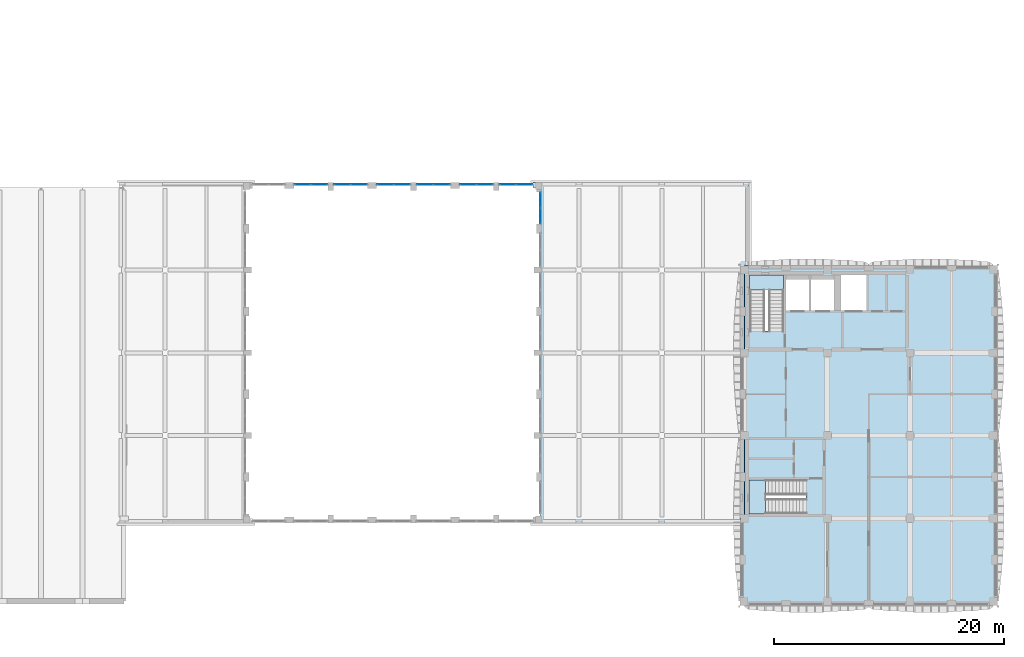
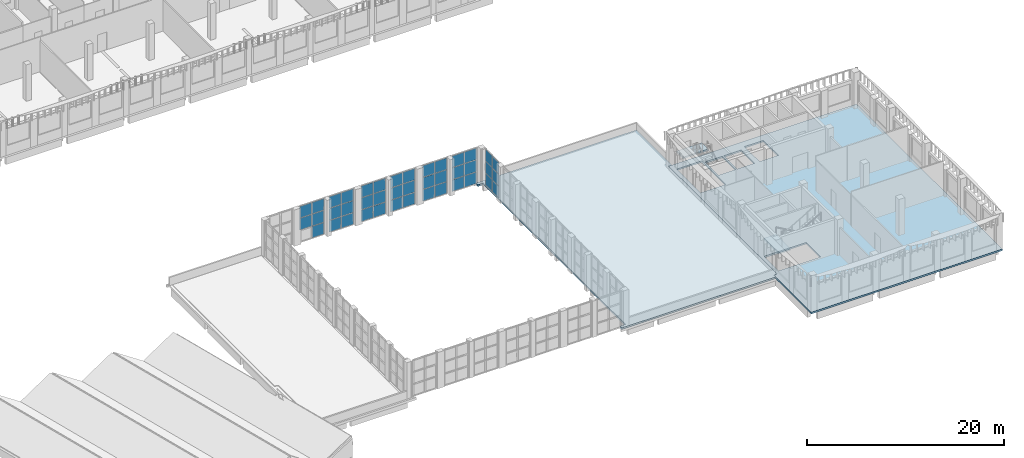
# One storey, part 12 of 44: 41 plates, 4 slabs, 9 elements without a shape of their own.
"""IFC4 building model written with IfcOpenShell, lengths in metres."""

from ifc_helpers import new_model, si_unit, direction, frame, origin, origin_2d, place, context, subcontext, project, spatial, polyline, rectangle, outline, extrude, material, layer, layer_set, type_object, element, aggregate, save


model = new_model("IFC4")

# Units and contexts
model_context = context("Model", 3, precision=1e-05, world=origin(), true_north=direction((0.0, 1.0)))
body_context = subcontext(model_context, "Body", "Model", "MODEL_VIEW")
ifc_project = project(units=[si_unit("LENGTHUNIT", "METRE"), si_unit("AREAUNIT", "SQUARE_METRE"), si_unit("VOLUMEUNIT", "CUBIC_METRE"), si_unit("PLANEANGLEUNIT", "RADIAN"), si_unit("MASSUNIT", "GRAM", prefix="KILO")], contexts=[model_context])

# Site, building, storey
site_placement = place(None, origin())
site = spatial("IfcSite", under=ifc_project, at=site_placement, CompositionType="ELEMENT")
building_placement = place(site_placement, origin())
building = spatial("IfcBuilding", under=site, at=building_placement, Name="Ussher Court Research Institute", CompositionType="ELEMENT")
storey_placement = place(building_placement, frame((0.0, 0.0, 18.89990234375)))
storey = spatial("IfcBuildingStorey", under=building, at=storey_placement, Name="L04", CompositionType="ELEMENT", Elevation=18.89990234375)

# Slab
ifc_material_1 = material(Name="Concrete C35/45", Category="concrete")
ifc_layer_1 = layer(ifc_material_1, 0.199951171875)
ifc_layer_set_1 = layer_set([ifc_layer_1], Name="Concrete C35/45")
slab_type_1 = type_object("IfcSlabType", Name="Floor slab 200", PredefinedType="FLOOR", material=ifc_layer_set_1)
slab_1_placement = place(storey_placement, frame((0.0, 0.0, -0.199951171875)))
element("IfcSlab", 1, at=slab_1_placement, inside=storey, type_object=slab_type_1, Name="FS200 V4 L04-01", PredefinedType="FLOOR", context=body_context, shape_type="SweptSolid", body=[
    extrude(outline(polyline([(81.800048828125, 11.199951171875), (81.800048828125, 3.60009765625), (104.199951171875, 3.60009765625), (104.199951171875, 33.199951171875), (82.199951171875, 33.199951171875), (82.199951171875, 11.199951171875), (81.800048828125, 11.199951171875)]), holes=[polyline([(87.550048828125, 14.550048828125), (87.550048828125, 11.60009765625), (82.60009765625, 11.60009765625), (82.60009765625, 14.550048828125), (87.550048828125, 14.550048828125)]), polyline([(82.64990234375, 27.5), (82.64990234375, 32.35009765625), (85.60009765625, 32.35009765625), (85.60009765625, 27.5), (82.64990234375, 27.5)]), polyline([(87.800048828125, 29.300048828125), (85.800048828125, 29.300048828125), (85.800048828125, 32.0), (87.800048828125, 32.0), (87.800048828125, 29.300048828125)]), polyline([(90.0, 32.0), (90.0, 29.300048828125), (88.0, 29.300048828125), (88.0, 32.0), (90.0, 32.0)]), polyline([(92.800048828125, 29.300048828125), (90.60009765625, 29.300048828125), (90.60009765625, 32.35009765625), (92.800048828125, 32.35009765625), (92.800048828125, 29.300048828125)])]), origin(), (0.0, 0.0, 1.0), 0.199951171875),
])

# Curtain wall, plates
ifc_material_2 = material(Name="Bronze anodised aluminium with low-e glass", Category="aluminium")
ifc_layer_2 = layer(ifc_material_2, 0.159912109375)
ifc_layer_set_2 = layer_set([ifc_layer_2], Name="Bronze anodised aluminium with low-e glass")
curtain_wall_type = type_object("IfcCurtainWallType", Name="Curtain wall atrium clerestory tall glazing", PredefinedType="NOTDEFINED", material=ifc_layer_set_2)
curtain_wall_1_placement = place(storey_placement, origin())
curtain_wall_1 = element("IfcCurtainWall", 2, at=curtain_wall_1_placement, inside=storey, type_object=curtain_wall_type, Name="Curtain wall CW3 L04", PredefinedType="NOTDEFINED")
ifc_material_3 = material(Name="Double glazed unit laminated")
ifc_layer_3 = layer(ifc_material_3, 0.035888671875)
ifc_layer_set_3 = layer_set([ifc_layer_3], Name="Double glazed unit laminated")
plate_type = type_object("IfcPlateType", Name="Glazing panel 36 mm", PredefinedType="CURTAIN_PANEL", material=ifc_layer_set_3)
plate_1_placement = place(storey_placement, frame((64.449951171875, 38.885009765625, 0.06005859375), z_axis=(0.0, 0.0, 1.0), x_axis=(0.0, -1.0, 0.0)))
plate_1 = element("IfcPlate", 3, at=plate_1_placement, type_object=plate_type, Name="CW3 panel 1.1", PredefinedType="CURTAIN_PANEL", context=body_context, shape_type="SweptSolid", body=[
    extrude(rectangle(XDim=1.31005859375, YDim=0.035888671875, at=origin_2d()), origin(), (0.0, 0.0, 1.0), 1.409912109375),
])
plate_2_placement = place(storey_placement, frame((64.449951171875, 38.885009765625, 1.530029296875), z_axis=(0.0, 0.0, 1.0), x_axis=(0.0, -1.0, 0.0)))
plate_2 = element("IfcPlate", 4, at=plate_2_placement, type_object=plate_type, Name="CW3 panel 1.2", PredefinedType="CURTAIN_PANEL", context=body_context, shape_type="SweptSolid", body=[
    extrude(rectangle(XDim=1.31005859375, YDim=0.035888671875, at=origin_2d()), origin(), (0.0, 0.0, 1.0), 1.43994140625),
])
plate_3_placement = place(storey_placement, frame((64.449951171875, 38.885009765625, 3.0302734375), z_axis=(0.0, 0.0, 1.0), x_axis=(0.0, -1.0, 0.0)))
plate_3 = element("IfcPlate", 5, at=plate_3_placement, type_object=plate_type, Name="CW3 panel 1.3", PredefinedType="CURTAIN_PANEL", context=body_context, shape_type="SweptSolid", body=[
    extrude(rectangle(XDim=1.31005859375, YDim=0.035888671875, at=origin_2d()), origin(), (0.0, 0.0, 1.0), 1.409912109375),
])
plate_4_placement = place(storey_placement, frame((64.449951171875, 37.514892578125, 0.06005859375), z_axis=(0.0, 0.0, 1.0), x_axis=(0.0, -1.0, 0.0)))
plate_4 = element("IfcPlate", 6, at=plate_4_placement, type_object=plate_type, Name="CW3 panel 2.1", PredefinedType="CURTAIN_PANEL", context=body_context, shape_type="SweptSolid", body=[
    extrude(rectangle(XDim=1.31005859375, YDim=0.035888671875, at=origin_2d()), origin(), (0.0, 0.0, 1.0), 1.409912109375),
])
plate_5_placement = place(storey_placement, frame((64.449951171875, 37.514892578125, 1.530029296875), z_axis=(0.0, 0.0, 1.0), x_axis=(0.0, -1.0, 0.0)))
plate_5 = element("IfcPlate", 7, at=plate_5_placement, type_object=plate_type, Name="CW3 panel 2.2", PredefinedType="CURTAIN_PANEL", context=body_context, shape_type="SweptSolid", body=[
    extrude(rectangle(XDim=1.31005859375, YDim=0.035888671875, at=origin_2d()), origin(), (0.0, 0.0, 1.0), 1.43994140625),
])
plate_6_placement = place(storey_placement, frame((64.449951171875, 37.514892578125, 3.0302734375), z_axis=(0.0, 0.0, 1.0), x_axis=(0.0, -1.0, 0.0)))
plate_6 = element("IfcPlate", 8, at=plate_6_placement, type_object=plate_type, Name="CW3 panel 2.3", PredefinedType="CURTAIN_PANEL", context=body_context, shape_type="SweptSolid", body=[
    extrude(rectangle(XDim=1.31005859375, YDim=0.035888671875, at=origin_2d()), origin(), (0.0, 0.0, 1.0), 1.409912109375),
])
aggregate(curtain_wall_1, [plate_1, plate_2, plate_3, plate_4, plate_5, plate_6])

curtain_wall_2_placement = place(storey_placement, origin())
curtain_wall_2 = element("IfcCurtainWall", 9, at=curtain_wall_2_placement, inside=storey, type_object=curtain_wall_type, Name="Curtain wall CW3 L04", PredefinedType="NOTDEFINED")
plate_7_placement = place(storey_placement, frame((43.75244140625, 40.25, 1.530029296875), z_axis=(0.0, 0.0, 1.0), x_axis=(1.0, 0.0, 0.0)))
plate_7 = element("IfcPlate", 10, at=plate_7_placement, type_object=plate_type, Name="CW3 panel 1.2", PredefinedType="CURTAIN_PANEL", context=body_context, shape_type="SweptSolid", body=[
    extrude(rectangle(XDim=1.385009765625, YDim=0.035888671875, at=origin_2d()), origin(), (0.0, 0.0, 1.0), 1.43994140625),
])
plate_8_placement = place(storey_placement, frame((43.75244140625, 40.25, 3.0302734375), z_axis=(0.0, 0.0, 1.0), x_axis=(1.0, 0.0, 0.0)))
plate_8 = element("IfcPlate", 11, at=plate_8_placement, type_object=plate_type, Name="CW3 panel 1.3", PredefinedType="CURTAIN_PANEL", context=body_context, shape_type="SweptSolid", body=[
    extrude(rectangle(XDim=1.385009765625, YDim=0.035888671875, at=origin_2d()), origin(), (0.0, 0.0, 1.0), 1.409912109375),
])
plate_9_placement = place(storey_placement, frame((45.197509765625, 40.25, 0.06005859375), z_axis=(0.0, 0.0, 1.0), x_axis=(1.0, 0.0, 0.0)))
plate_9 = element("IfcPlate", 12, at=plate_9_placement, type_object=plate_type, Name="CW3 panel 2.1", PredefinedType="CURTAIN_PANEL", context=body_context, shape_type="SweptSolid", body=[
    extrude(rectangle(XDim=1.385009765625, YDim=0.035888671875, at=origin_2d()), origin(), (0.0, 0.0, 1.0), 1.409912109375),
])
plate_10_placement = place(storey_placement, frame((45.197509765625, 40.25, 1.530029296875), z_axis=(0.0, 0.0, 1.0), x_axis=(1.0, 0.0, 0.0)))
plate_10 = element("IfcPlate", 13, at=plate_10_placement, type_object=plate_type, Name="CW3 panel 2.2", PredefinedType="CURTAIN_PANEL", context=body_context, shape_type="SweptSolid", body=[
    extrude(rectangle(XDim=1.385009765625, YDim=0.035888671875, at=origin_2d()), origin(), (0.0, 0.0, 1.0), 1.43994140625),
])
plate_11_placement = place(storey_placement, frame((45.197509765625, 40.25, 3.0302734375), z_axis=(0.0, 0.0, 1.0), x_axis=(1.0, 0.0, 0.0)))
plate_11 = element("IfcPlate", 14, at=plate_11_placement, type_object=plate_type, Name="CW3 panel 2.3", PredefinedType="CURTAIN_PANEL", context=body_context, shape_type="SweptSolid", body=[
    extrude(rectangle(XDim=1.385009765625, YDim=0.035888671875, at=origin_2d()), origin(), (0.0, 0.0, 1.0), 1.409912109375),
])
aggregate(curtain_wall_2, [plate_7, plate_8, plate_9, plate_10, plate_11])

curtain_wall_3_placement = place(storey_placement, origin())
curtain_wall_3 = element("IfcCurtainWall", 15, at=curtain_wall_3_placement, inside=storey, type_object=curtain_wall_type, Name="Curtain wall CW3 L04", PredefinedType="NOTDEFINED")
plate_12_placement = place(storey_placement, frame((47.202392578125, 40.25, 0.06005859375), z_axis=(0.0, 0.0, 1.0), x_axis=(1.0, 0.0, 0.0)))
plate_12 = element("IfcPlate", 16, at=plate_12_placement, type_object=plate_type, Name="CW3 panel 1.1", PredefinedType="CURTAIN_PANEL", context=body_context, shape_type="SweptSolid", body=[
    extrude(rectangle(XDim=1.385009765625, YDim=0.035888671875, at=origin_2d()), origin(), (0.0, 0.0, 1.0), 1.409912109375),
])
plate_13_placement = place(storey_placement, frame((47.202392578125, 40.25, 1.530029296875), z_axis=(0.0, 0.0, 1.0), x_axis=(1.0, 0.0, 0.0)))
plate_13 = element("IfcPlate", 17, at=plate_13_placement, type_object=plate_type, Name="CW3 panel 1.2", PredefinedType="CURTAIN_PANEL", context=body_context, shape_type="SweptSolid", body=[
    extrude(rectangle(XDim=1.385009765625, YDim=0.035888671875, at=origin_2d()), origin(), (0.0, 0.0, 1.0), 1.43994140625),
])
plate_14_placement = place(storey_placement, frame((47.202392578125, 40.25, 3.0302734375), z_axis=(0.0, 0.0, 1.0), x_axis=(1.0, 0.0, 0.0)))
plate_14 = element("IfcPlate", 18, at=plate_14_placement, type_object=plate_type, Name="CW3 panel 1.3", PredefinedType="CURTAIN_PANEL", context=body_context, shape_type="SweptSolid", body=[
    extrude(rectangle(XDim=1.385009765625, YDim=0.035888671875, at=origin_2d()), origin(), (0.0, 0.0, 1.0), 1.409912109375),
])
plate_15_placement = place(storey_placement, frame((48.6474609375, 40.25, 0.06005859375), z_axis=(0.0, 0.0, 1.0), x_axis=(1.0, 0.0, 0.0)))
plate_15 = element("IfcPlate", 19, at=plate_15_placement, type_object=plate_type, Name="CW3 panel 2.1", PredefinedType="CURTAIN_PANEL", context=body_context, shape_type="SweptSolid", body=[
    extrude(rectangle(XDim=1.385009765625, YDim=0.035888671875, at=origin_2d()), origin(), (0.0, 0.0, 1.0), 1.409912109375),
])
plate_16_placement = place(storey_placement, frame((48.6474609375, 40.25, 1.530029296875), z_axis=(0.0, 0.0, 1.0), x_axis=(1.0, 0.0, 0.0)))
plate_16 = element("IfcPlate", 20, at=plate_16_placement, type_object=plate_type, Name="CW3 panel 2.2", PredefinedType="CURTAIN_PANEL", context=body_context, shape_type="SweptSolid", body=[
    extrude(rectangle(XDim=1.385009765625, YDim=0.035888671875, at=origin_2d()), origin(), (0.0, 0.0, 1.0), 1.43994140625),
])
plate_17_placement = place(storey_placement, frame((48.6474609375, 40.25, 3.0302734375), z_axis=(0.0, 0.0, 1.0), x_axis=(1.0, 0.0, 0.0)))
plate_17 = element("IfcPlate", 21, at=plate_17_placement, type_object=plate_type, Name="CW3 panel 2.3", PredefinedType="CURTAIN_PANEL", context=body_context, shape_type="SweptSolid", body=[
    extrude(rectangle(XDim=1.385009765625, YDim=0.035888671875, at=origin_2d()), origin(), (0.0, 0.0, 1.0), 1.409912109375),
])
aggregate(curtain_wall_3, [plate_12, plate_13, plate_14, plate_15, plate_16, plate_17])

curtain_wall_4_placement = place(storey_placement, origin())
curtain_wall_4 = element("IfcCurtainWall", 22, at=curtain_wall_4_placement, inside=storey, type_object=curtain_wall_type, Name="Curtain wall CW3 L04", PredefinedType="NOTDEFINED")
plate_18_placement = place(storey_placement, frame((50.952392578125, 40.25, 0.06005859375), z_axis=(0.0, 0.0, 1.0), x_axis=(1.0, 0.0, 0.0)))
plate_18 = element("IfcPlate", 23, at=plate_18_placement, type_object=plate_type, Name="CW3 panel 1.1", PredefinedType="CURTAIN_PANEL", context=body_context, shape_type="SweptSolid", body=[
    extrude(rectangle(XDim=1.385009765625, YDim=0.035888671875, at=origin_2d()), origin(), (0.0, 0.0, 1.0), 1.409912109375),
])
plate_19_placement = place(storey_placement, frame((50.952392578125, 40.25, 1.530029296875), z_axis=(0.0, 0.0, 1.0), x_axis=(1.0, 0.0, 0.0)))
plate_19 = element("IfcPlate", 24, at=plate_19_placement, type_object=plate_type, Name="CW3 panel 1.2", PredefinedType="CURTAIN_PANEL", context=body_context, shape_type="SweptSolid", body=[
    extrude(rectangle(XDim=1.385009765625, YDim=0.035888671875, at=origin_2d()), origin(), (0.0, 0.0, 1.0), 1.43994140625),
])
plate_20_placement = place(storey_placement, frame((50.952392578125, 40.25, 3.0302734375), z_axis=(0.0, 0.0, 1.0), x_axis=(1.0, 0.0, 0.0)))
plate_20 = element("IfcPlate", 25, at=plate_20_placement, type_object=plate_type, Name="CW3 panel 1.3", PredefinedType="CURTAIN_PANEL", context=body_context, shape_type="SweptSolid", body=[
    extrude(rectangle(XDim=1.385009765625, YDim=0.035888671875, at=origin_2d()), origin(), (0.0, 0.0, 1.0), 1.409912109375),
])
plate_21_placement = place(storey_placement, frame((52.3974609375, 40.25, 0.06005859375), z_axis=(0.0, 0.0, 1.0), x_axis=(1.0, 0.0, 0.0)))
plate_21 = element("IfcPlate", 26, at=plate_21_placement, type_object=plate_type, Name="CW3 panel 2.1", PredefinedType="CURTAIN_PANEL", context=body_context, shape_type="SweptSolid", body=[
    extrude(rectangle(XDim=1.385009765625, YDim=0.035888671875, at=origin_2d()), origin(), (0.0, 0.0, 1.0), 1.409912109375),
])
plate_22_placement = place(storey_placement, frame((52.3974609375, 40.25, 1.530029296875), z_axis=(0.0, 0.0, 1.0), x_axis=(1.0, 0.0, 0.0)))
plate_22 = element("IfcPlate", 27, at=plate_22_placement, type_object=plate_type, Name="CW3 panel 2.2", PredefinedType="CURTAIN_PANEL", context=body_context, shape_type="SweptSolid", body=[
    extrude(rectangle(XDim=1.385009765625, YDim=0.035888671875, at=origin_2d()), origin(), (0.0, 0.0, 1.0), 1.43994140625),
])
plate_23_placement = place(storey_placement, frame((52.3974609375, 40.25, 3.0302734375), z_axis=(0.0, 0.0, 1.0), x_axis=(1.0, 0.0, 0.0)))
plate_23 = element("IfcPlate", 28, at=plate_23_placement, type_object=plate_type, Name="CW3 panel 2.3", PredefinedType="CURTAIN_PANEL", context=body_context, shape_type="SweptSolid", body=[
    extrude(rectangle(XDim=1.385009765625, YDim=0.035888671875, at=origin_2d()), origin(), (0.0, 0.0, 1.0), 1.409912109375),
])
aggregate(curtain_wall_4, [plate_18, plate_19, plate_20, plate_21, plate_22, plate_23])

curtain_wall_5_placement = place(storey_placement, origin())
curtain_wall_5 = element("IfcCurtainWall", 29, at=curtain_wall_5_placement, inside=storey, type_object=curtain_wall_type, Name="Curtain wall CW3 L04", PredefinedType="NOTDEFINED")
plate_24_placement = place(storey_placement, frame((54.402587890625, 40.25, 0.06005859375), z_axis=(0.0, 0.0, 1.0), x_axis=(1.0, 0.0, 0.0)))
plate_24 = element("IfcPlate", 30, at=plate_24_placement, type_object=plate_type, Name="CW3 panel 1.1", PredefinedType="CURTAIN_PANEL", context=body_context, shape_type="SweptSolid", body=[
    extrude(rectangle(XDim=1.385009765625, YDim=0.035888671875, at=origin_2d()), origin(), (0.0, 0.0, 1.0), 1.409912109375),
])
plate_25_placement = place(storey_placement, frame((54.402587890625, 40.25, 1.530029296875), z_axis=(0.0, 0.0, 1.0), x_axis=(1.0, 0.0, 0.0)))
plate_25 = element("IfcPlate", 31, at=plate_25_placement, type_object=plate_type, Name="CW3 panel 1.2", PredefinedType="CURTAIN_PANEL", context=body_context, shape_type="SweptSolid", body=[
    extrude(rectangle(XDim=1.385009765625, YDim=0.035888671875, at=origin_2d()), origin(), (0.0, 0.0, 1.0), 1.43994140625),
])
plate_26_placement = place(storey_placement, frame((54.402587890625, 40.25, 3.0302734375), z_axis=(0.0, 0.0, 1.0), x_axis=(1.0, 0.0, 0.0)))
plate_26 = element("IfcPlate", 32, at=plate_26_placement, type_object=plate_type, Name="CW3 panel 1.3", PredefinedType="CURTAIN_PANEL", context=body_context, shape_type="SweptSolid", body=[
    extrude(rectangle(XDim=1.385009765625, YDim=0.035888671875, at=origin_2d()), origin(), (0.0, 0.0, 1.0), 1.409912109375),
])
plate_27_placement = place(storey_placement, frame((55.847412109375, 40.25, 0.06005859375), z_axis=(0.0, 0.0, 1.0), x_axis=(1.0, 0.0, 0.0)))
plate_27 = element("IfcPlate", 33, at=plate_27_placement, type_object=plate_type, Name="CW3 panel 2.1", PredefinedType="CURTAIN_PANEL", context=body_context, shape_type="SweptSolid", body=[
    extrude(rectangle(XDim=1.385009765625, YDim=0.035888671875, at=origin_2d()), origin(), (0.0, 0.0, 1.0), 1.409912109375),
])
plate_28_placement = place(storey_placement, frame((55.847412109375, 40.25, 1.530029296875), z_axis=(0.0, 0.0, 1.0), x_axis=(1.0, 0.0, 0.0)))
plate_28 = element("IfcPlate", 34, at=plate_28_placement, type_object=plate_type, Name="CW3 panel 2.2", PredefinedType="CURTAIN_PANEL", context=body_context, shape_type="SweptSolid", body=[
    extrude(rectangle(XDim=1.385009765625, YDim=0.035888671875, at=origin_2d()), origin(), (0.0, 0.0, 1.0), 1.43994140625),
])
plate_29_placement = place(storey_placement, frame((55.847412109375, 40.25, 3.0302734375), z_axis=(0.0, 0.0, 1.0), x_axis=(1.0, 0.0, 0.0)))
plate_29 = element("IfcPlate", 35, at=plate_29_placement, type_object=plate_type, Name="CW3 panel 2.3", PredefinedType="CURTAIN_PANEL", context=body_context, shape_type="SweptSolid", body=[
    extrude(rectangle(XDim=1.385009765625, YDim=0.035888671875, at=origin_2d()), origin(), (0.0, 0.0, 1.0), 1.409912109375),
])
aggregate(curtain_wall_5, [plate_24, plate_25, plate_26, plate_27, plate_28, plate_29])

curtain_wall_6_placement = place(storey_placement, origin())
curtain_wall_6 = element("IfcCurtainWall", 36, at=curtain_wall_6_placement, inside=storey, type_object=curtain_wall_type, Name="Curtain wall CW3 L04", PredefinedType="NOTDEFINED")
plate_30_placement = place(storey_placement, frame((58.152587890625, 40.25, 0.06005859375), z_axis=(0.0, 0.0, 1.0), x_axis=(1.0, 0.0, 0.0)))
plate_30 = element("IfcPlate", 37, at=plate_30_placement, type_object=plate_type, Name="CW3 panel 1.1", PredefinedType="CURTAIN_PANEL", context=body_context, shape_type="SweptSolid", body=[
    extrude(rectangle(XDim=1.385009765625, YDim=0.035888671875, at=origin_2d()), origin(), (0.0, 0.0, 1.0), 1.409912109375),
])
plate_31_placement = place(storey_placement, frame((58.152587890625, 40.25, 1.530029296875), z_axis=(0.0, 0.0, 1.0), x_axis=(1.0, 0.0, 0.0)))
plate_31 = element("IfcPlate", 38, at=plate_31_placement, type_object=plate_type, Name="CW3 panel 1.2", PredefinedType="CURTAIN_PANEL", context=body_context, shape_type="SweptSolid", body=[
    extrude(rectangle(XDim=1.385009765625, YDim=0.035888671875, at=origin_2d()), origin(), (0.0, 0.0, 1.0), 1.43994140625),
])
plate_32_placement = place(storey_placement, frame((58.152587890625, 40.25, 3.0302734375), z_axis=(0.0, 0.0, 1.0), x_axis=(1.0, 0.0, 0.0)))
plate_32 = element("IfcPlate", 39, at=plate_32_placement, type_object=plate_type, Name="CW3 panel 1.3", PredefinedType="CURTAIN_PANEL", context=body_context, shape_type="SweptSolid", body=[
    extrude(rectangle(XDim=1.385009765625, YDim=0.035888671875, at=origin_2d()), origin(), (0.0, 0.0, 1.0), 1.409912109375),
])
plate_33_placement = place(storey_placement, frame((59.597412109375, 40.25, 0.06005859375), z_axis=(0.0, 0.0, 1.0), x_axis=(1.0, 0.0, 0.0)))
plate_33 = element("IfcPlate", 40, at=plate_33_placement, type_object=plate_type, Name="CW3 panel 2.1", PredefinedType="CURTAIN_PANEL", context=body_context, shape_type="SweptSolid", body=[
    extrude(rectangle(XDim=1.385009765625, YDim=0.035888671875, at=origin_2d()), origin(), (0.0, 0.0, 1.0), 1.409912109375),
])
plate_34_placement = place(storey_placement, frame((59.597412109375, 40.25, 1.530029296875), z_axis=(0.0, 0.0, 1.0), x_axis=(1.0, 0.0, 0.0)))
plate_34 = element("IfcPlate", 41, at=plate_34_placement, type_object=plate_type, Name="CW3 panel 2.2", PredefinedType="CURTAIN_PANEL", context=body_context, shape_type="SweptSolid", body=[
    extrude(rectangle(XDim=1.385009765625, YDim=0.035888671875, at=origin_2d()), origin(), (0.0, 0.0, 1.0), 1.43994140625),
])
plate_35_placement = place(storey_placement, frame((59.597412109375, 40.25, 3.0302734375), z_axis=(0.0, 0.0, 1.0), x_axis=(1.0, 0.0, 0.0)))
plate_35 = element("IfcPlate", 42, at=plate_35_placement, type_object=plate_type, Name="CW3 panel 2.3", PredefinedType="CURTAIN_PANEL", context=body_context, shape_type="SweptSolid", body=[
    extrude(rectangle(XDim=1.385009765625, YDim=0.035888671875, at=origin_2d()), origin(), (0.0, 0.0, 1.0), 1.409912109375),
])
aggregate(curtain_wall_6, [plate_30, plate_31, plate_32, plate_33, plate_34, plate_35])

curtain_wall_7_placement = place(storey_placement, origin())
curtain_wall_7 = element("IfcCurtainWall", 43, at=curtain_wall_7_placement, inside=storey, type_object=curtain_wall_type, Name="Curtain wall CW3 L04", PredefinedType="NOTDEFINED")
plate_36_placement = place(storey_placement, frame((61.6025390625, 40.25, 0.06005859375), z_axis=(0.0, 0.0, 1.0), x_axis=(1.0, 0.0, 0.0)))
plate_36 = element("IfcPlate", 44, at=plate_36_placement, type_object=plate_type, Name="CW3 panel 1.1", PredefinedType="CURTAIN_PANEL", context=body_context, shape_type="SweptSolid", body=[
    extrude(rectangle(XDim=1.385009765625, YDim=0.035888671875, at=origin_2d()), origin(), (0.0, 0.0, 1.0), 1.409912109375),
])
plate_37_placement = place(storey_placement, frame((61.6025390625, 40.25, 1.530029296875), z_axis=(0.0, 0.0, 1.0), x_axis=(1.0, 0.0, 0.0)))
plate_37 = element("IfcPlate", 45, at=plate_37_placement, type_object=plate_type, Name="CW3 panel 1.2", PredefinedType="CURTAIN_PANEL", context=body_context, shape_type="SweptSolid", body=[
    extrude(rectangle(XDim=1.385009765625, YDim=0.035888671875, at=origin_2d()), origin(), (0.0, 0.0, 1.0), 1.43994140625),
])
plate_38_placement = place(storey_placement, frame((61.6025390625, 40.25, 3.0302734375), z_axis=(0.0, 0.0, 1.0), x_axis=(1.0, 0.0, 0.0)))
plate_38 = element("IfcPlate", 46, at=plate_38_placement, type_object=plate_type, Name="CW3 panel 1.3", PredefinedType="CURTAIN_PANEL", context=body_context, shape_type="SweptSolid", body=[
    extrude(rectangle(XDim=1.385009765625, YDim=0.035888671875, at=origin_2d()), origin(), (0.0, 0.0, 1.0), 1.409912109375),
])
plate_39_placement = place(storey_placement, frame((63.047607421875, 40.25, 0.06005859375), z_axis=(0.0, 0.0, 1.0), x_axis=(1.0, 0.0, 0.0)))
plate_39 = element("IfcPlate", 47, at=plate_39_placement, type_object=plate_type, Name="CW3 panel 2.1", PredefinedType="CURTAIN_PANEL", context=body_context, shape_type="SweptSolid", body=[
    extrude(rectangle(XDim=1.385009765625, YDim=0.035888671875, at=origin_2d()), origin(), (0.0, 0.0, 1.0), 1.409912109375),
])
plate_40_placement = place(storey_placement, frame((63.047607421875, 40.25, 1.530029296875), z_axis=(0.0, 0.0, 1.0), x_axis=(1.0, 0.0, 0.0)))
plate_40 = element("IfcPlate", 48, at=plate_40_placement, type_object=plate_type, Name="CW3 panel 2.2", PredefinedType="CURTAIN_PANEL", context=body_context, shape_type="SweptSolid", body=[
    extrude(rectangle(XDim=1.385009765625, YDim=0.035888671875, at=origin_2d()), origin(), (0.0, 0.0, 1.0), 1.43994140625),
])
plate_41_placement = place(storey_placement, frame((63.047607421875, 40.25, 3.0302734375), z_axis=(0.0, 0.0, 1.0), x_axis=(1.0, 0.0, 0.0)))
plate_41 = element("IfcPlate", 49, at=plate_41_placement, type_object=plate_type, Name="CW3 panel 2.3", PredefinedType="CURTAIN_PANEL", context=body_context, shape_type="SweptSolid", body=[
    extrude(rectangle(XDim=1.385009765625, YDim=0.035888671875, at=origin_2d()), origin(), (0.0, 0.0, 1.0), 1.409912109375),
])
aggregate(curtain_wall_7, [plate_36, plate_37, plate_38, plate_39, plate_40, plate_41])

# Slab
ifc_material_4 = material(Name="Concrete C35/45", Category="concrete")
ifc_layer_4 = layer(ifc_material_4, 0.199951171875)
ifc_layer_set_4 = layer_set([ifc_layer_4], Name="Concrete C35/45")
slab_type_2 = type_object("IfcSlabType", Name="Roof slab 200", PredefinedType="ROOF", material=ifc_layer_set_4)
slab_2_placement = place(storey_placement, frame((0.0, 0.0, -0.199951171875)))
element("IfcSlab", 50, at=slab_2_placement, inside=storey, type_object=slab_type_2, Name="RS200 V7 L04-01", PredefinedType="ROOF", context=body_context, shape_type="SweptSolid", body=[
    extrude(outline(polyline([(64.425048828125, 40.0), (64.425048828125, 11.199951171875), (63.800048828125, 11.199951171875), (63.800048828125, 10.800048828125), (81.800048828125, 10.800048828125), (81.800048828125, 11.199951171875), (82.199951171875, 11.199951171875), (82.199951171875, 33.199951171875), (82.60009765625, 33.199951171875), (82.60009765625, 40.39990234375), (63.800048828125, 40.39990234375), (63.800048828125, 40.0), (64.425048828125, 40.0)])), origin(), (0.0, 0.0, 1.0), 0.199951171875),
])

# Stair, slab
ifc_material_5 = material(Name="Concrete C35/45", Category="concrete")
stair_type_1 = type_object("IfcStairType", Name="Core stair 26 risers 173 mm x 300 going 1280 wide", PredefinedType="HALF_TURN_STAIR", material=ifc_material_5)
stair_1_placement = place(storey_placement, origin())
stair_1 = element("IfcStair", 51, at=stair_1_placement, inside=storey, type_object=stair_type_1, Name="L04 Stair T1", PredefinedType="HALF_TURN_STAIR")
ifc_material_6 = material(Name="Concrete C35/45", Category="concrete")
ifc_layer_5 = layer(ifc_material_6, 0.199951171875)
ifc_layer_set_5 = layer_set([ifc_layer_5], Name="Concrete C35/45")
slab_type_3 = type_object("IfcSlabType", Name="Stair landing 200 RC", PredefinedType="LANDING", material=ifc_layer_set_5)
slab_3_placement = place(storey_placement, frame((0.0, 0.0, 2.050048828125)))
slab_3 = element("IfcSlab", 52, at=slab_3_placement, type_object=slab_type_3, Name="T1 landing 1", PredefinedType="LANDING", context=body_context, shape_type="SweptSolid", body=[
    extrude(outline(polyline([(85.60009765625, 31.050048828125), (85.60009765625, 32.35009765625), (82.64990234375, 32.35009765625), (82.64990234375, 31.050048828125), (85.60009765625, 31.050048828125)])), origin(), (0.0, 0.0, 1.0), 0.199951171875),
])
aggregate(stair_1, [slab_3])

ifc_material_7 = material(Name="Concrete C35/45", Category="concrete")
stair_type_2 = type_object("IfcStairType", Name="Core stair 26 risers 173 mm x 300 going 1300 wide", PredefinedType="HALF_TURN_STAIR", material=ifc_material_7)
stair_2_placement = place(storey_placement, origin())
stair_2 = element("IfcStair", 53, at=stair_2_placement, inside=storey, type_object=stair_type_2, Name="L04 Stair T2", PredefinedType="HALF_TURN_STAIR")
slab_4_placement = place(storey_placement, frame((0.0, 0.0, 2.050048828125)))
slab_4 = element("IfcSlab", 54, at=slab_4_placement, type_object=slab_type_3, Name="T2 landing 1", PredefinedType="LANDING", context=body_context, shape_type="SweptSolid", body=[
    extrude(outline(polyline([(84.0, 14.550048828125), (82.60009765625, 14.550048828125), (82.60009765625, 11.60009765625), (84.0, 11.60009765625), (84.0, 14.550048828125)])), origin(), (0.0, 0.0, 1.0), 0.199951171875),
])
aggregate(stair_2, [slab_4])

save(model, "model.ifc")
